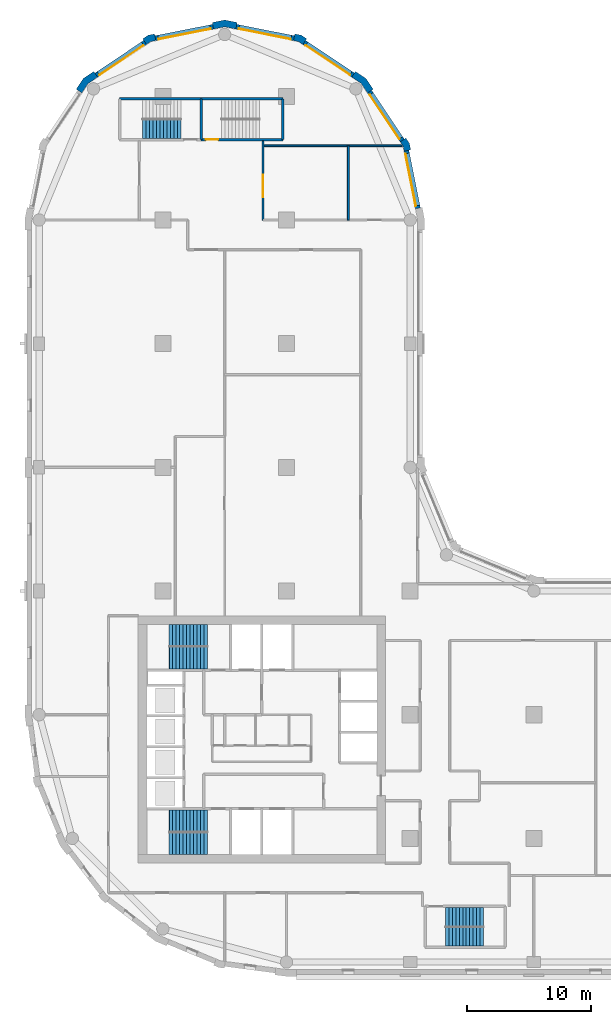
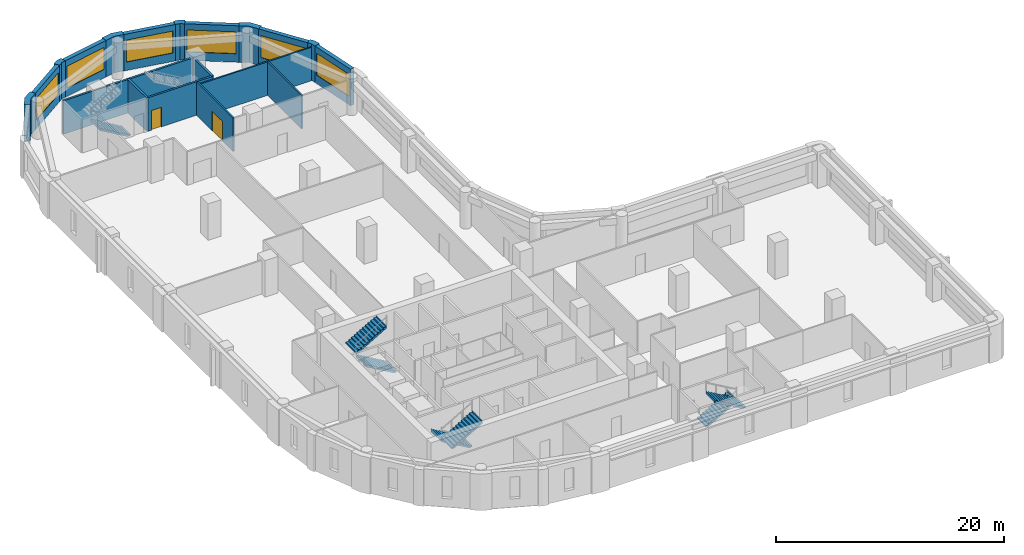
# One storey, part 6 of 9: 20 walls, 7 stair flights, 6 windows, 2 doors, 8 openings, 4 elements without a shape of their own.
"""IFC4 building model written with IfcOpenShell, lengths in metres."""

import ifcopenshell
import ifcopenshell.guid

model = None  # the IFC model being written
_history = None  # IfcOwnerHistory: only IFC2X3 demands one
_inside = {}  # id of a spatial element -> (the spatial element, [elements in it])
_under = {}  # id of a project, library or spatial element -> (it, [spatial elements below it])
_declared = {}  # id of a project -> (the project, [libraries it declares])
_typed = {}  # id of a type object -> (the type object, [elements of that type])
_made_of = {}  # id of a material, layer set ... -> (it, [elements and type objects made of it])


def new_model(schema):
    """Start an empty IFC model of exactly this schema.

    Asked for "IFC4X3", IfcOpenShell would pick the latest addendum, in which some entities
    have other attributes; the version numbers below select the first issue.
    IFC2X3 requires an IfcOwnerHistory on every rooted entity: one is made here for all.
    """
    global model, _history
    if schema == "IFC4X3":
        model = ifcopenshell.file(schema_version=(4, 3, 0, 0))
    else:
        model = ifcopenshell.file(schema=schema)
    _inside.clear()
    _under.clear()
    _declared.clear()
    _typed.clear()
    _made_of.clear()
    _history = None
    if model.schema == "IFC2X3":
        org = make("IfcOrganization", Name="unknown")
        user = make(
            "IfcPersonAndOrganization",
            ThePerson=make("IfcPerson", FamilyName="unknown"),
            TheOrganization=org,
        )
        app = make(
            "IfcApplication",
            ApplicationDeveloper=org,
            Version="unknown",
            ApplicationFullName="unknown",
            ApplicationIdentifier="unknown",
        )
        _history = make(
            "IfcOwnerHistory",
            OwningUser=user,
            OwningApplication=app,
            ChangeAction="ADDED",
            CreationDate=0,
        )
    return model


def make(cls, **values):
    """One entity of the class cls with the attributes given. An attribute that is None is left unset."""
    return model.create_entity(
        cls, **{name: value for name, value in values.items() if value is not None}
    )


def rooted(cls, **values):
    """An entity with a GlobalId (a new one), such as an element, a storey or a relation."""
    return make(cls, GlobalId=ifcopenshell.guid.new(), OwnerHistory=_history, **values)


def si_unit(unit_type, name, prefix=None):
    """IfcSIUnit, for example si_unit("LENGTHUNIT", "METRE", prefix="MILLI")."""
    return make("IfcSIUnit", UnitType=unit_type, Prefix=prefix, Name=name)


def assignment(units):
    """IfcUnitAssignment: the units of a project."""
    return None if units is None else make("IfcUnitAssignment", Units=units)


def point(xyz):
    """IfcCartesianPoint."""
    return None if xyz is None else make("IfcCartesianPoint", Coordinates=xyz)


def direction(xyz):
    """IfcDirection."""
    return None if xyz is None else make("IfcDirection", DirectionRatios=xyz)


def frame(location, z_axis=None, x_axis=None):
    """IfcAxis2Placement3D, a coordinate frame: its origin and axes. An axis left out is left unset."""
    return make(
        "IfcAxis2Placement3D",
        Location=point(location),
        Axis=direction(z_axis),
        RefDirection=direction(x_axis),
    )


def frame_2d(location, x_axis=None):
    """IfcAxis2Placement2D, a coordinate frame in the plane: its origin and x axis."""
    return make(
        "IfcAxis2Placement2D", Location=point(location), RefDirection=direction(x_axis)
    )


def origin():
    """The frame at (0, 0, 0) with its axes left unset."""
    return frame((0.0, 0.0, 0.0))


def place(relative_to, where):
    """IfcLocalPlacement: puts the frame where relative to a parent placement (None: the world)."""
    return make(
        "IfcLocalPlacement", PlacementRelTo=relative_to, RelativePlacement=where
    )


def context(
    kind, dimensions, precision=None, world=None, true_north=None, identifier=None
):
    """IfcGeometricRepresentationContext, for example the 3D "Model" context."""
    return make(
        "IfcGeometricRepresentationContext",
        ContextIdentifier=identifier,
        ContextType=kind,
        CoordinateSpaceDimension=dimensions,
        Precision=precision,
        WorldCoordinateSystem=world,
        TrueNorth=true_north,
    )


def subcontext(parent, identifier, kind, view, scale=None):
    """IfcGeometricRepresentationSubContext, for example "Body" below "Model"."""
    return make(
        "IfcGeometricRepresentationSubContext",
        ContextIdentifier=identifier,
        ContextType=kind,
        ParentContext=parent,
        TargetScale=scale,
        TargetView=view,
    )


def project(units=None, contexts=None):
    """IfcProject with its units and contexts."""
    return rooted(
        "IfcProject",
        Name="project",
        RepresentationContexts=contexts,
        UnitsInContext=assignment(units),
    )


def spatial(cls, under=None, at=None, **own):
    """A site, building, storey or space (cls), placed at a placement, below another one or the project."""
    s = rooted(cls, ObjectPlacement=at, **own)
    if under is not None:
        _under.setdefault(under.id(), (under, []))[1].append(s)
    return s


def polyline(points):
    """IfcPolyline through the points."""
    return make("IfcPolyline", Points=[point(p) for p in points])


def profile(cls, at=None, kind="AREA", **sizes):
    """A parametric profile (cls). Its sizes go by their IFC names, for example OverallWidth=200.0."""
    return make(cls, ProfileType=kind, Position=at, **sizes)


def rectangle(**sizes):
    """IfcRectangleProfileDef."""
    return profile("IfcRectangleProfileDef", **sizes)


def outline(outer, holes=None, kind="AREA"):
    """IfcArbitraryClosedProfileDef: a profile drawn as a closed curve; with holes, ...WithVoids."""
    if holes is None:
        return make("IfcArbitraryClosedProfileDef", ProfileType=kind, OuterCurve=outer)
    return make(
        "IfcArbitraryProfileDefWithVoids",
        ProfileType=kind,
        OuterCurve=outer,
        InnerCurves=holes,
    )


def extrude(swept, where, along, depth):
    """IfcExtrudedAreaSolid: the profile swept, set in the frame where, extruded along a direction by depth."""
    return make(
        "IfcExtrudedAreaSolid",
        SweptArea=swept,
        Position=where,
        ExtrudedDirection=direction(along),
        Depth=depth,
    )


def shape(context_of_items, identifier, shape_type, items):
    """IfcShapeRepresentation: the items that make up one representation, for example the "Body"."""
    return make(
        "IfcShapeRepresentation",
        ContextOfItems=context_of_items,
        RepresentationIdentifier=identifier,
        RepresentationType=shape_type,
        Items=items,
    )


def material(Name=None, Category=None):
    """IfcMaterial."""
    return make("IfcMaterial", Name=Name, Category=Category)


def layer(
    of_material, thickness, ventilated=None, Name=None, Category=None, Priority=None
):
    """IfcMaterialLayer: one layer of a wall or slab, of a material (None: an air gap)."""
    return make(
        "IfcMaterialLayer",
        Material=of_material,
        LayerThickness=thickness,
        IsVentilated=ventilated,
        Name=Name,
        Category=Category,
        Priority=Priority,
    )


def layer_set(layers, Name=None):
    """IfcMaterialLayerSet."""
    return make("IfcMaterialLayerSet", MaterialLayers=layers, LayerSetName=Name)


def made_of(thing, what):
    """Note that an element or type object is made of a material, layer set ...; save() writes the relation."""
    if what is not None:
        _made_of.setdefault(what.id(), (what, []))[1].append(thing)
    return thing


def type_object(cls, material=None, **own):
    """A type object (cls), such as IfcWallType, which elements share."""
    return made_of(rooted(cls, **own), material)


def element(
    cls,
    number,
    at=None,
    inside=None,
    cuts=None,
    type_object=None,
    material=None,
    context=None,
    identifier="Body",
    shape_type=None,
    held_by="IfcProductDefinitionShape",
    body=None,
    shapes=None,
    **own,
):
    """One element of the class cls, such as IfcWall. Its Tag is "e" and its number.

    at: its placement. inside: the storey or other place that contains it. cuts: it is an
    opening in that element (IfcRelVoidsElement). A single representation is given by context,
    identifier, shape_type and body (its items); several are given by shapes. held_by: the class
    of the entity that holds the representations. save() writes the other relations.
    """
    e = rooted(cls, Tag="e%d" % number, ObjectPlacement=at, **own)
    if body is not None:
        shapes = [shape(context, identifier, shape_type, body)]
    if shapes is not None:
        e.Representation = make(held_by, Representations=shapes)
    if inside is not None:
        _inside.setdefault(inside.id(), (inside, []))[1].append(e)
    if cuts is not None:
        rooted(
            "IfcRelVoidsElement", RelatingBuildingElement=cuts, RelatedOpeningElement=e
        )
    if type_object is not None:
        _typed.setdefault(type_object.id(), (type_object, []))[1].append(e)
    return made_of(e, material)


def fill(opening, filler):
    """IfcRelFillsElement: the door or window that sits in an opening."""
    return rooted(
        "IfcRelFillsElement",
        RelatingOpeningElement=opening,
        RelatedBuildingElement=filler,
    )


def aggregate(whole, parts):
    """IfcRelAggregates: a whole, such as a stair, and the parts it consists of."""
    return rooted("IfcRelAggregates", RelatingObject=whole, RelatedObjects=parts)


def save(model, path):
    """Write the relations noted so far, then the file.

    IfcRelAggregates (storeys below a building ...), IfcRelContainedInSpatialStructure (elements
    in a storey), IfcRelDefinesByType, IfcRelAssociatesMaterial and IfcRelDeclares: one each for
    every whole, place, type object, material and project.
    """
    for whole, parts in _under.values():
        aggregate(whole, parts)
    for where, things in _inside.values():
        rooted(
            "IfcRelContainedInSpatialStructure",
            RelatedElements=things,
            RelatingStructure=where,
        )
    for kind, things in _typed.values():
        rooted("IfcRelDefinesByType", RelatedObjects=things, RelatingType=kind)
    for what, things in _made_of.values():
        rooted("IfcRelAssociatesMaterial", RelatedObjects=things, RelatingMaterial=what)
    for by, libraries in _declared.values():
        rooted("IfcRelDeclares", RelatingContext=by, RelatedDefinitions=libraries)
    model.write(path)


model = new_model("IFC4")

# Units and contexts
model_context = context("Model", 3, precision=1e-05, world=origin(), true_north=direction((0.0, 1.0)))
body_context = subcontext(model_context, "Body", "Model", "MODEL_VIEW")
ifc_project = project(units=[si_unit("LENGTHUNIT", "METRE"), si_unit("AREAUNIT", "SQUARE_METRE"), si_unit("VOLUMEUNIT", "CUBIC_METRE"), si_unit("PLANEANGLEUNIT", "RADIAN"), si_unit("MASSUNIT", "GRAM", prefix="KILO")], contexts=[model_context])

# Site, building, storey
site_placement = place(None, origin())
site = spatial("IfcSite", under=ifc_project, at=site_placement, CompositionType="ELEMENT")
building_placement = place(site_placement, origin())
building = spatial("IfcBuilding", under=site, at=building_placement, Name="Qaws Garden Tower", CompositionType="ELEMENT")
storey_placement = place(building_placement, frame((0.0, 0.0, 139.5)))
storey = spatial("IfcBuildingStorey", under=building, at=storey_placement, Name="L33", CompositionType="ELEMENT", Elevation=139.5)

# Wall, opening, window
ifc_material_1 = material(Name="Clay facing brick masonry", Category="masonry")
ifc_layer_1 = layer(ifc_material_1, 0.39990234375)
ifc_layer_set_1 = layer_set([ifc_layer_1], Name="Clay facing brick masonry")
wall_type_1 = type_object("IfcWallType", Name="Brick infill wall 400", PredefinedType="SOLIDWALL", material=ifc_layer_set_1)
wall_1_placement = place(storey_placement, frame((30.628662109375, 60.940673828125, 0.0), z_axis=(0.0, 0.0, 1.0), x_axis=(-0.195098533057, 0.98078364709, 0.0)))
wall_1 = element("IfcWall", 1, at=wall_1_placement, inside=storey, type_object=wall_type_1, Name="E-L33-infill-13", PredefinedType="SOLIDWALL", context=body_context, shape_type="SweptSolid", body=[
    extrude(rectangle(XDim=4.752685546875, YDim=0.39990234375, at=frame_2d((2.37646484375, 0.0))), origin(), (0.0, 0.0, 1.0), 3.89990234375),
])
opening_1_placement = place(wall_1_placement, frame((0.226318359375, 0.0, 0.89990234375)))
opening_1 = element("IfcOpeningElement", 2, at=opening_1_placement, cuts=wall_1, Name="Opening W06", PredefinedType="OPENING", context=body_context, shape_type="SweptSolid", body=[
    extrude(rectangle(XDim=4.300048828125, YDim=2.35009765625, at=frame_2d((2.14990234375, 1.175048828125))), frame((0.0, 0.2099609375, 0.0), z_axis=(0.0, -1.0, 0.0), x_axis=(1.0, 0.0, 0.0)), (0.0, 0.0, 1.0), 0.419921875),
])
ifc_material_2 = material(Name="Aluminium framed window, clear glazing", Category="aluminium")
window_type = type_object("IfcWindowType", Name="Ribbon window 4300 x 2350", PartitioningType="DOUBLE_PANEL_VERTICAL", PredefinedType="WINDOW", material=ifc_material_2)
window_1_placement = place(opening_1_placement, origin())
window_1 = element("IfcWindow", 3, at=window_1_placement, inside=storey, type_object=window_type, Name="E-L33-window-13-0", OverallHeight=2.35009765625, OverallWidth=4.300048828125, PartitioningType="SINGLE_PANEL", PredefinedType="WINDOW", context=body_context, shape_type="SweptSolid", body=[
    extrude(rectangle(XDim=4.300048828125, YDim=2.35009765625, at=frame_2d((2.14990234375, 1.175048828125))), frame((0.0, 0.159912109375, 0.0), z_axis=(0.0, -1.0, 0.0), x_axis=(1.0, 0.0, 0.0)), (0.0, 0.0, 1.0), 0.06005859375),
])
fill(opening_1, window_1)

wall_2_placement = place(storey_placement, frame((29.356689453125, 66.43408203125, 0.0), z_axis=(0.0, 0.0, 1.0), x_axis=(-0.555541552266, 0.831488775454, 0.0)))
wall_2 = element("IfcWall", 4, at=wall_2_placement, inside=storey, type_object=wall_type_1, Name="E-L33-infill-14", PredefinedType="SOLIDWALL", context=body_context, shape_type="SweptSolid", body=[
    extrude(rectangle(XDim=4.752685546875, YDim=0.39990234375, at=frame_2d((2.37646484375, 0.0))), origin(), (0.0, 0.0, 1.0), 3.89990234375),
])
opening_2_placement = place(wall_2_placement, frame((0.226318359375, 0.0, 0.89990234375)))
opening_2 = element("IfcOpeningElement", 5, at=opening_2_placement, cuts=wall_2, Name="Opening W06", PredefinedType="OPENING", context=body_context, shape_type="SweptSolid", body=[
    extrude(rectangle(XDim=4.300048828125, YDim=2.35009765625, at=frame_2d((2.14990234375, 1.175048828125))), frame((0.0, 0.2099609375, 0.0), z_axis=(0.0, -1.0, 0.0), x_axis=(1.0, 0.0, 0.0)), (0.0, 0.0, 1.0), 0.419921875),
])
window_2_placement = place(opening_2_placement, origin())
window_2 = element("IfcWindow", 6, at=window_2_placement, inside=storey, type_object=window_type, Name="E-L33-window-14-0", OverallHeight=2.35009765625, OverallWidth=4.300048828125, PartitioningType="SINGLE_PANEL", PredefinedType="WINDOW", context=body_context, shape_type="SweptSolid", body=[
    extrude(rectangle(XDim=4.300048828125, YDim=2.35009765625, at=frame_2d((2.14990234375, 1.175048828125))), frame((0.0, 0.159912109375, 0.0), z_axis=(0.0, -1.0, 0.0), x_axis=(1.0, 0.0, 0.0)), (0.0, 0.0, 1.0), 0.06005859375),
])
fill(opening_2, window_2)

wall_3_placement = place(storey_placement, frame((25.385986328125, 71.71630859375, 0.0), z_axis=(0.0, 0.0, 1.0), x_axis=(-0.831488775454, 0.555541552266, 0.0)))
wall_3 = element("IfcWall", 7, at=wall_3_placement, inside=storey, type_object=wall_type_1, Name="E-L33-infill-15", PredefinedType="SOLIDWALL", context=body_context, shape_type="SweptSolid", body=[
    extrude(rectangle(XDim=4.752685546875, YDim=0.39990234375, at=frame_2d((2.37646484375, 0.0))), origin(), (0.0, 0.0, 1.0), 3.89990234375),
])
opening_3_placement = place(wall_3_placement, frame((0.226318359375, 0.0, 0.89990234375)))
opening_3 = element("IfcOpeningElement", 8, at=opening_3_placement, cuts=wall_3, Name="Opening W06", PredefinedType="OPENING", context=body_context, shape_type="SweptSolid", body=[
    extrude(rectangle(XDim=4.300048828125, YDim=2.35009765625, at=frame_2d((2.14990234375, 1.175048828125))), frame((0.0, 0.2099609375, 0.0), z_axis=(0.0, -1.0, 0.0), x_axis=(1.0, 0.0, 0.0)), (0.0, 0.0, 1.0), 0.419921875),
])
window_3_placement = place(opening_3_placement, origin())
window_3 = element("IfcWindow", 9, at=window_3_placement, inside=storey, type_object=window_type, Name="E-L33-window-15-0", OverallHeight=2.35009765625, OverallWidth=4.300048828125, PartitioningType="SINGLE_PANEL", PredefinedType="WINDOW", context=body_context, shape_type="SweptSolid", body=[
    extrude(rectangle(XDim=4.300048828125, YDim=2.35009765625, at=frame_2d((2.14990234375, 1.175048828125))), frame((0.0, 0.159912109375, 0.0), z_axis=(0.0, -1.0, 0.0), x_axis=(1.0, 0.0, 0.0)), (0.0, 0.0, 1.0), 0.06005859375),
])
fill(opening_3, window_3)

wall_4_placement = place(storey_placement, frame((20.60205078125, 74.701416015625, 0.0), z_axis=(0.0, 0.0, 1.0), x_axis=(-0.98078364709, 0.195098533057, 0.0)))
wall_4 = element("IfcWall", 10, at=wall_4_placement, inside=storey, type_object=wall_type_1, Name="E-L33-infill-16", PredefinedType="SOLIDWALL", context=body_context, shape_type="SweptSolid", body=[
    extrude(rectangle(XDim=4.752685546875, YDim=0.39990234375, at=frame_2d((2.37646484375, 0.0))), origin(), (0.0, 0.0, 1.0), 3.89990234375),
])
opening_4_placement = place(wall_4_placement, frame((0.226318359375, 0.0, 0.89990234375)))
opening_4 = element("IfcOpeningElement", 11, at=opening_4_placement, cuts=wall_4, Name="Opening W06", PredefinedType="OPENING", context=body_context, shape_type="SweptSolid", body=[
    extrude(rectangle(XDim=4.300048828125, YDim=2.35009765625, at=frame_2d((2.14990234375, 1.175048828125))), frame((0.0, 0.2099609375, 0.0), z_axis=(0.0, -1.0, 0.0), x_axis=(1.0, 0.0, 0.0)), (0.0, 0.0, 1.0), 0.419921875),
])
window_4_placement = place(opening_4_placement, origin())
window_4 = element("IfcWindow", 12, at=window_4_placement, inside=storey, type_object=window_type, Name="E-L33-window-16-0", OverallHeight=2.35009765625, OverallWidth=4.300048828125, PartitioningType="SINGLE_PANEL", PredefinedType="WINDOW", context=body_context, shape_type="SweptSolid", body=[
    extrude(rectangle(XDim=4.300048828125, YDim=2.35009765625, at=frame_2d((2.14990234375, 1.175048828125))), frame((0.0, 0.159912109375, 0.0), z_axis=(0.0, -1.0, 0.0), x_axis=(1.0, 0.0, 0.0)), (0.0, 0.0, 1.0), 0.06005859375),
])
fill(opening_4, window_4)

wall_5_placement = place(storey_placement, frame((14.059326171875, 75.628662109375, 0.0), z_axis=(0.0, 0.0, 1.0), x_axis=(-0.98078364709, -0.195098533057, 0.0)))
wall_5 = element("IfcWall", 13, at=wall_5_placement, inside=storey, type_object=wall_type_1, Name="E-L33-infill-17", PredefinedType="SOLIDWALL", context=body_context, shape_type="SweptSolid", body=[
    extrude(rectangle(XDim=4.752685546875, YDim=0.39990234375, at=frame_2d((2.37646484375, 0.0))), origin(), (0.0, 0.0, 1.0), 3.89990234375),
])
opening_5_placement = place(wall_5_placement, frame((0.226318359375, 0.0, 0.89990234375)))
opening_5 = element("IfcOpeningElement", 14, at=opening_5_placement, cuts=wall_5, Name="Opening W06", PredefinedType="OPENING", context=body_context, shape_type="SweptSolid", body=[
    extrude(rectangle(XDim=4.300048828125, YDim=2.35009765625, at=frame_2d((2.14990234375, 1.175048828125))), frame((0.0, 0.2099609375, 0.0), z_axis=(0.0, -1.0, 0.0), x_axis=(1.0, 0.0, 0.0)), (0.0, 0.0, 1.0), 0.419921875),
])
window_5_placement = place(opening_5_placement, origin())
window_5 = element("IfcWindow", 15, at=window_5_placement, inside=storey, type_object=window_type, Name="E-L33-window-17-0", OverallHeight=2.35009765625, OverallWidth=4.300048828125, PartitioningType="SINGLE_PANEL", PredefinedType="WINDOW", context=body_context, shape_type="SweptSolid", body=[
    extrude(rectangle(XDim=4.300048828125, YDim=2.35009765625, at=frame_2d((2.14990234375, 1.175048828125))), frame((0.0, 0.159912109375, 0.0), z_axis=(0.0, -1.0, 0.0), x_axis=(1.0, 0.0, 0.0)), (0.0, 0.0, 1.0), 0.06005859375),
])
fill(opening_5, window_5)

wall_6_placement = place(storey_placement, frame((8.56591796875, 74.356689453125, 0.0), z_axis=(0.0, 0.0, 1.0), x_axis=(-0.831488775454, -0.555541552266, 0.0)))
wall_6 = element("IfcWall", 16, at=wall_6_placement, inside=storey, type_object=wall_type_1, Name="E-L33-infill-18", PredefinedType="SOLIDWALL", context=body_context, shape_type="SweptSolid", body=[
    extrude(rectangle(XDim=4.752685546875, YDim=0.39990234375, at=frame_2d((2.37646484375, 0.0))), origin(), (0.0, 0.0, 1.0), 3.89990234375),
])
opening_6_placement = place(wall_6_placement, frame((0.226318359375, 0.0, 0.89990234375)))
opening_6 = element("IfcOpeningElement", 17, at=opening_6_placement, cuts=wall_6, Name="Opening W06", PredefinedType="OPENING", context=body_context, shape_type="SweptSolid", body=[
    extrude(rectangle(XDim=4.300048828125, YDim=2.35009765625, at=frame_2d((2.14990234375, 1.175048828125))), frame((0.0, 0.2099609375, 0.0), z_axis=(0.0, -1.0, 0.0), x_axis=(1.0, 0.0, 0.0)), (0.0, 0.0, 1.0), 0.419921875),
])
window_6_placement = place(opening_6_placement, origin())
window_6 = element("IfcWindow", 18, at=window_6_placement, inside=storey, type_object=window_type, Name="E-L33-window-18-0", OverallHeight=2.35009765625, OverallWidth=4.300048828125, PartitioningType="SINGLE_PANEL", PredefinedType="WINDOW", context=body_context, shape_type="SweptSolid", body=[
    extrude(rectangle(XDim=4.300048828125, YDim=2.35009765625, at=frame_2d((2.14990234375, 1.175048828125))), frame((0.0, 0.159912109375, 0.0), z_axis=(0.0, -1.0, 0.0), x_axis=(1.0, 0.0, 0.0)), (0.0, 0.0, 1.0), 0.06005859375),
])
fill(opening_6, window_6)

# Walls
ifc_material_3 = material(Name="Clay facing brick masonry", Category="masonry")
ifc_layer_2 = layer(ifc_material_3, 0.550048828125)
ifc_layer_set_2 = layer_set([ifc_layer_2], Name="Clay facing brick masonry")
wall_type_2 = type_object("IfcWallType", Name="Brick kink pier 550 x 600", PredefinedType="SOLIDWALL", material=ifc_layer_set_2)
placement = place(storey_placement, origin())
element("IfcWall", 19, at=placement, inside=storey, type_object=wall_type_2, Name="E-L33-pier-14", PredefinedType="SOLIDWALL", context=body_context, shape_type="SweptSolid", body=[
    extrude(outline(polyline([(29.8974609375, 65.64111328125), (30.044677734375, 65.67041015625), (29.94140625, 66.18896484375), (29.647705078125, 66.628662109375), (29.52294921875, 66.545166015625), (29.1904296875, 66.322998046875), (29.42333984375, 65.974365234375), (29.505126953125, 65.56298828125), (29.8974609375, 65.64111328125)])), origin(), (0.0, 0.0, 1.0), 3.89990234375),
])
element("IfcWall", 20, at=placement, inside=storey, type_object=wall_type_2, Name="E-L33-pier-16", PredefinedType="SOLIDWALL", context=body_context, shape_type="SweptSolid", body=[
    extrude(outline(polyline([(21.545166015625, 74.52294921875), (21.628662109375, 74.647705078125), (21.18896484375, 74.94140625), (20.67041015625, 75.044677734375), (20.64111328125, 74.8974609375), (20.56298828125, 74.505126953125), (20.974365234375, 74.42333984375), (21.322998046875, 74.1904296875), (21.545166015625, 74.52294921875)])), origin(), (0.0, 0.0, 1.0), 3.89990234375),
])
element("IfcWall", 21, at=placement, inside=storey, type_object=wall_type_2, Name="E-L33-pier-18", PredefinedType="SOLIDWALL", context=body_context, shape_type="SweptSolid", body=[
    extrude(outline(polyline([(9.35888671875, 74.8974609375), (9.32958984375, 75.044677734375), (8.81103515625, 74.94140625), (8.371337890625, 74.647705078125), (8.454833984375, 74.52294921875), (8.677001953125, 74.1904296875), (9.025634765625, 74.42333984375), (9.43701171875, 74.505126953125), (9.35888671875, 74.8974609375)])), origin(), (0.0, 0.0, 1.0), 3.89990234375),
])
ifc_material_4 = material(Name="Clay facing brick masonry", Category="masonry")
ifc_layer_3 = layer(ifc_material_4, 0.550048828125)
ifc_layer_set_3 = layer_set([ifc_layer_3], Name="Clay facing brick masonry")
wall_type_3 = type_object("IfcWallType", Name="Brick pier 550 x 1600", PredefinedType="SOLIDWALL", material=ifc_layer_set_3)
element("IfcWall", 22, at=placement, inside=storey, type_object=wall_type_3, Name="E-L33-pier-15", PredefinedType="SOLIDWALL", context=body_context, shape_type="SweptSolid", body=[
    extrude(outline(polyline([(26.882568359375, 70.4970703125), (27.00732421875, 70.580322265625), (26.435791015625, 71.435791015625), (25.580322265625, 72.00732421875), (25.4970703125, 71.882568359375), (25.274658203125, 71.550048828125), (26.0390625, 71.0390625), (26.550048828125, 70.274658203125), (26.882568359375, 70.4970703125)])), origin(), (0.0, 0.0, 1.0), 3.89990234375),
])
element("IfcWall", 23, at=placement, inside=storey, type_object=wall_type_3, Name="E-L33-pier-17", PredefinedType="SOLIDWALL", context=body_context, shape_type="SweptSolid", body=[
    extrude(outline(polyline([(15.979736328125, 75.82470703125), (16.009033203125, 75.971923828125), (15.0, 76.172607421875), (13.990966796875, 75.971923828125), (14.020263671875, 75.82470703125), (14.098388671875, 75.432373046875), (15.0, 75.61181640625), (15.901611328125, 75.432373046875), (15.979736328125, 75.82470703125)])), origin(), (0.0, 0.0, 1.0), 3.89990234375),
])
element("IfcWall", 24, at=placement, inside=storey, type_object=wall_type_3, Name="E-L33-pier-19", PredefinedType="SOLIDWALL", context=body_context, shape_type="SweptSolid", body=[
    extrude(outline(polyline([(4.5029296875, 71.882568359375), (4.419677734375, 72.00732421875), (3.564208984375, 71.435791015625), (2.99267578125, 70.580322265625), (3.117431640625, 70.4970703125), (3.449951171875, 70.274658203125), (3.9609375, 71.0390625), (4.725341796875, 71.550048828125), (4.5029296875, 71.882568359375)])), origin(), (0.0, 0.0, 1.0), 3.89990234375),
])

# Wall, opening, door
ifc_material_5 = material(Name="Concrete C70", Category="concrete")
ifc_layer_4 = layer(ifc_material_5, 0.199951171875)
ifc_layer_set_4 = layer_set([ifc_layer_4], Name="Concrete C70")
wall_type_4 = type_object("IfcWallType", Name="Core shaft wall 200 C70", PredefinedType="SHEAR", material=ifc_layer_set_4)
wall_13_placement = place(storey_placement, frame((13.10009765625, 66.5, 0.0), z_axis=(0.0, 0.0, 1.0), x_axis=(1.0, 0.0, 0.0)))
wall_13 = element("IfcWall", 25, at=wall_13_placement, inside=storey, type_object=wall_type_4, Name="Shaft wall", PredefinedType="SHEAR", context=body_context, shape_type="SweptSolid", body=[
    extrude(rectangle(XDim=6.599853515625, YDim=0.199951171875, at=frame_2d((3.2998046875, 0.0))), origin(), (0.0, 0.0, 1.0), 3.580078125),
])
opening_7_placement = place(wall_13_placement, frame((0.375, 0.0, 0.0)))
opening_7 = element("IfcOpeningElement", 26, at=opening_7_placement, cuts=wall_13, Name="Opening SD14", PredefinedType="OPENING", context=body_context, shape_type="SweptSolid", body=[
    extrude(rectangle(XDim=1.0, YDim=2.10009765625, at=frame_2d((0.5, 1.050048828125))), frame((0.0, 0.10986328125, 0.0), z_axis=(0.0, -1.0, 0.0), x_axis=(1.0, 0.0, 0.0)), (0.0, 0.0, 1.0), 0.219970703125),
])
ifc_material_6 = material(Name="Steel S235", Category="steel")
door_type_1 = type_object("IfcDoorType", Name="Stair door 1000x2100", OperationType="SINGLE_SWING_RIGHT", PredefinedType="DOOR", material=ifc_material_6)
door_1_placement = place(opening_7_placement, origin())
door_1 = element("IfcDoor", 27, at=door_1_placement, inside=storey, type_object=door_type_1, Name="Stair 7 door", OperationType="SINGLE_SWING_LEFT", OverallHeight=2.10009765625, OverallWidth=1.0, PredefinedType="DOOR", context=body_context, shape_type="SweptSolid", body=[
    extrude(rectangle(XDim=1.0, YDim=2.10009765625, at=frame_2d((0.5, 1.050048828125))), frame((0.0, 0.02490234375, 0.0), z_axis=(0.0, -1.0, 0.0), x_axis=(1.0, 0.0, 0.0)), (0.0, 0.0, 1.0), 0.050048828125),
])
fill(opening_7, door_1)

# Walls
wall_14_placement = place(storey_placement, frame((6.5, 69.800048828125, 0.0), z_axis=(0.0, 0.0, 1.0), x_axis=(1.0, 0.0, 0.0)))
element("IfcWall", 28, at=wall_14_placement, inside=storey, type_object=wall_type_4, Name="Shaft wall", PredefinedType="SHEAR", context=body_context, shape_type="SweptSolid", body=[
    extrude(rectangle(XDim=6.60009765625, YDim=0.199951171875, at=frame_2d((3.300048828125, 0.0))), origin(), (0.0, 0.0, 1.0), 3.580078125),
])
wall_15_placement = place(storey_placement, frame((13.10009765625, 69.800048828125, 0.0), z_axis=(0.0, 0.0, 1.0), x_axis=(1.0, 0.0, 0.0)))
element("IfcWall", 29, at=wall_15_placement, inside=storey, type_object=wall_type_4, Name="Shaft wall", PredefinedType="SHEAR", context=body_context, shape_type="SweptSolid", body=[
    extrude(rectangle(XDim=6.599853515625, YDim=0.199951171875, at=frame_2d((3.2998046875, 0.0))), origin(), (0.0, 0.0, 1.0), 3.580078125),
])
for number, where, z_axis, x_axis, name in (
    (30, (13.10009765625, 66.5, 0.0), (0.0, 0.0, 1.0), (0.0, 1.0, 0.0), "Shaft wall"),
    (31, (19.699951171875, 66.5, 0.0), (0.0, 0.0, 1.0), (0.0, 1.0, 0.0), "Shaft wall"),
):
    element("IfcWall", number, at=place(storey_placement, frame(where, z_axis=z_axis, x_axis=x_axis)), inside=storey, type_object=wall_type_4, Name=name, PredefinedType="SHEAR", context=body_context, shape_type="SweptSolid", body=[
        extrude(rectangle(XDim=3.300048828125, YDim=0.199951171875, at=frame_2d((1.64990234375, 0.0))), origin(), (0.0, 0.0, 1.0), 3.580078125),
    ])

# Wall, opening, door
ifc_material_7 = material(Name="Gypsum board partition")
ifc_layer_5 = layer(ifc_material_7, 0.14990234375)
ifc_layer_set_5 = layer_set([ifc_layer_5], Name="Gypsum board partition")
wall_type_5 = type_object("IfcWallType", Name="PARTITION 150 EI 60", PredefinedType="PARTITIONING", material=ifc_layer_set_5)
wall_16_placement = place(storey_placement, frame((18.10009765625, 60.0, 0.0), z_axis=(0.0, 0.0, 1.0), x_axis=(0.0, 1.0, 0.0)))
wall_16 = element("IfcWall", 32, at=wall_16_placement, inside=storey, type_object=wall_type_5, Name="O-L33-wall-010", PredefinedType="PARTITIONING", context=body_context, shape_type="SweptSolid", body=[
    extrude(rectangle(XDim=6.39990234375, YDim=0.14990234375, at=frame_2d((3.199951171875, 0.0))), origin(), (0.0, 0.0, 1.0), 3.580078125),
])
opening_8_placement = place(wall_16_placement, frame((1.85009765625, 0.0, 0.0)))
opening_8 = element("IfcOpeningElement", 33, at=opening_8_placement, cuts=wall_16, Name="Opening B108", PredefinedType="OPENING", context=body_context, shape_type="SweptSolid", body=[
    extrude(rectangle(XDim=1.800048828125, YDim=2.10009765625, at=frame_2d((0.89990234375, 1.050048828125))), frame((0.0, 0.0849609375, 0.0), z_axis=(0.0, -1.0, 0.0), x_axis=(1.0, 0.0, 0.0)), (0.0, 0.0, 1.0), 0.169921875),
])
ifc_material_8 = material(Name="Timber door leaf", Category="wood")
door_type_2 = type_object("IfcDoorType", Name="DOUBLE DOOR 1800 X 2100", OperationType="DOUBLE_DOOR_SINGLE_SWING", PredefinedType="DOOR", material=ifc_material_8)
door_2_placement = place(opening_8_placement, frame((1.800048828125, 0.0, 0.0), z_axis=(0.0, 0.0, 1.0), x_axis=(-1.0, 0.0, 0.0)))
door_2 = element("IfcDoor", 34, at=door_2_placement, inside=storey, type_object=door_type_2, Name="O-L33-door-008", OperationType="DOUBLE_DOOR_SINGLE_SWING", OverallHeight=2.10009765625, OverallWidth=1.800048828125, PredefinedType="DOOR", context=body_context, shape_type="SweptSolid", body=[
    extrude(rectangle(XDim=1.800048828125, YDim=2.10009765625, at=frame_2d((0.89990234375, 1.050048828125))), frame((0.0, 0.02490234375, 0.0), z_axis=(0.0, -1.0, 0.0), x_axis=(1.0, 0.0, 0.0)), (0.0, 0.0, 1.0), 0.050048828125),
])
fill(opening_8, door_2)

# Walls
wall_17_placement = place(storey_placement, frame((25.0, 60.0, 0.0), z_axis=(0.0, 0.0, 1.0), x_axis=(0.0, 1.0, 0.0)))
element("IfcWall", 35, at=wall_17_placement, inside=storey, type_object=wall_type_5, Name="O-L33-wall-012", PredefinedType="PARTITIONING", context=body_context, shape_type="SweptSolid", body=[
    extrude(rectangle(XDim=6.0, YDim=0.14990234375, at=frame_2d((3.0, 0.0))), origin(), (0.0, 0.0, 1.0), 3.580078125),
])
wall_18_placement = place(storey_placement, frame((18.10009765625, 66.0, 0.0), z_axis=(0.0, 0.0, 1.0), x_axis=(1.0, 0.0, 0.0)))
element("IfcWall", 36, at=wall_18_placement, inside=storey, type_object=wall_type_5, Name="O-L33-wall-049", PredefinedType="PARTITIONING", context=body_context, shape_type="SweptSolid", body=[
    extrude(rectangle(XDim=11.256103515625, YDim=0.14990234375, at=frame_2d((5.6279296875, 0.0))), origin(), (0.0, 0.0, 1.0), 3.580078125),
])

# Stair, stair flights
ifc_material_9 = material(Name="Concrete C40", Category="concrete")
stair_type_1 = type_object("IfcStairType", Name="Exit stair 1350", PredefinedType="HALF_TURN_STAIR", material=ifc_material_9)
stair_1 = element("IfcStair", 37, at=placement, inside=storey, type_object=stair_type_1, Name="Stair 5", PredefinedType="HALF_TURN_STAIR")
ifc_material_10 = material(Name="Concrete C40", Category="concrete")
stair_flight_type_1 = type_object("IfcStairFlightType", Name="Stair flight 1350", PredefinedType="STRAIGHT", material=ifc_material_10)
stair_flight_1_placement = place(storey_placement, frame((32.85009765625, 3.625, 0.0), z_axis=(0.0, 0.0, 1.0), x_axis=(1.0, 0.0, 0.0)))
stair_flight_1 = element("IfcStairFlight", 38, at=stair_flight_1_placement, type_object=stair_flight_type_1, Name="ST5 flight 1", NumberOfRisers=12, NumberOfTreads=11, PredefinedType="STRAIGHT", RiserHeight=0.1625, TreadLength=0.28, context=body_context, shape_type="SweptSolid", body=[
    extrude(outline(polyline([(-0.0029296875, 0.0), (-0.0029296875, 0.16259765625), (0.0, 0.16259765625), (0.280029296875, 0.16259765625), (0.280029296875, 0.324951171875), (0.56005859375, 0.324951171875), (0.56005859375, 0.487548828125), (0.840087890625, 0.487548828125), (0.840087890625, 0.64990234375), (1.1201171875, 0.64990234375), (1.1201171875, 0.8125), (1.39990234375, 0.8125), (1.39990234375, 0.97509765625), (1.679931640625, 0.97509765625), (1.679931640625, 1.137451171875), (1.9599609375, 1.137451171875), (1.9599609375, 1.300048828125), (2.239990234375, 1.300048828125), (2.239990234375, 1.46240234375), (2.52001953125, 1.46240234375), (2.52001953125, 1.625), (2.800048828125, 1.625), (2.800048828125, 1.78759765625), (3.080078125, 1.78759765625), (3.080078125, 1.949951171875), (3.0830078125, 1.949951171875), (3.0830078125, 1.6142578125), (3.080078125, 1.6142578125), (0.298583984375, 0.0), (-0.0029296875, 0.0)])), frame((0.0, 0.77490234375, 0.0), z_axis=(0.0, -1.0, 0.0), x_axis=(1.0, 0.0, 0.0)), (0.0, 0.0, 1.0), 1.550048828125),
])
stair_flight_2_placement = place(storey_placement, frame((35.929931640625, 2.074951171875, 1.949951171875), z_axis=(0.0, 0.0, 1.0), x_axis=(-1.0, 0.0, 0.0)))
stair_flight_2 = element("IfcStairFlight", 39, at=stair_flight_2_placement, type_object=stair_flight_type_1, Name="ST5 flight 2", NumberOfRisers=12, NumberOfTreads=11, PredefinedType="STRAIGHT", RiserHeight=0.1625, TreadLength=0.28, context=body_context, shape_type="SweptSolid", body=[
    extrude(outline(polyline([(-0.0029296875, 0.0), (-0.0029296875, 0.16259765625), (0.0, 0.16259765625), (0.280029296875, 0.16259765625), (0.280029296875, 0.324951171875), (0.56005859375, 0.324951171875), (0.56005859375, 0.487548828125), (0.840087890625, 0.487548828125), (0.840087890625, 0.64990234375), (1.1201171875, 0.64990234375), (1.1201171875, 0.8125), (1.39990234375, 0.8125), (1.39990234375, 0.97509765625), (1.679931640625, 0.97509765625), (1.679931640625, 1.137451171875), (1.9599609375, 1.137451171875), (1.9599609375, 1.300048828125), (2.239990234375, 1.300048828125), (2.239990234375, 1.46240234375), (2.52001953125, 1.46240234375), (2.52001953125, 1.625), (2.800048828125, 1.625), (2.800048828125, 1.78759765625), (3.080078125, 1.78759765625), (3.080078125, 1.949951171875), (3.0830078125, 1.949951171875), (3.0830078125, 1.6142578125), (3.080078125, 1.6142578125), (0.298583984375, 0.0), (-0.0029296875, 0.0)])), frame((0.0, 0.77490234375, 0.0), z_axis=(0.0, -1.0, 0.0), x_axis=(1.0, 0.0, 0.0)), (0.0, 0.0, 1.0), 1.550048828125),
])
aggregate(stair_1, [stair_flight_1, stair_flight_2])

# Stair, stair flight
stair_2 = element("IfcStair", 40, at=placement, inside=storey, type_object=stair_type_1, Name="Stair 6", PredefinedType="HALF_TURN_STAIR")
stair_flight_3_placement = place(storey_placement, frame((11.449951171875, 67.375, 0.0), z_axis=(0.0, 0.0, 1.0), x_axis=(-1.0, 0.0, 0.0)))
stair_flight_3 = element("IfcStairFlight", 41, at=stair_flight_3_placement, type_object=stair_flight_type_1, Name="ST6 flight 1", NumberOfRisers=12, NumberOfTreads=11, PredefinedType="STRAIGHT", RiserHeight=0.1625, TreadLength=0.28, context=body_context, shape_type="SweptSolid", body=[
    extrude(outline(polyline([(-0.0029296875, 0.0), (-0.0029296875, 0.16259765625), (0.0, 0.16259765625), (0.280029296875, 0.16259765625), (0.280029296875, 0.324951171875), (0.56005859375, 0.324951171875), (0.56005859375, 0.487548828125), (0.840087890625, 0.487548828125), (0.840087890625, 0.64990234375), (1.1201171875, 0.64990234375), (1.1201171875, 0.8125), (1.39990234375, 0.8125), (1.39990234375, 0.97509765625), (1.679931640625, 0.97509765625), (1.679931640625, 1.137451171875), (1.9599609375, 1.137451171875), (1.9599609375, 1.300048828125), (2.239990234375, 1.300048828125), (2.239990234375, 1.46240234375), (2.52001953125, 1.46240234375), (2.52001953125, 1.625), (2.800048828125, 1.625), (2.800048828125, 1.78759765625), (3.080078125, 1.78759765625), (3.080078125, 1.949951171875), (3.0830078125, 1.949951171875), (3.0830078125, 1.6142578125), (3.080078125, 1.6142578125), (0.298583984375, 0.0), (-0.0029296875, 0.0)])), frame((0.0, 0.77490234375, 0.0), z_axis=(0.0, -1.0, 0.0), x_axis=(1.0, 0.0, 0.0)), (0.0, 0.0, 1.0), 1.550048828125),
])
aggregate(stair_2, [stair_flight_3])

# Stair, stair flights
ifc_material_11 = material(Name="Concrete C40", Category="concrete")
stair_type_2 = type_object("IfcStairType", Name="Exit stair 1500", PredefinedType="HALF_TURN_STAIR", material=ifc_material_11)
stair_3 = element("IfcStair", 42, at=placement, inside=storey, type_object=stair_type_2, Name="Stair 1", PredefinedType="HALF_TURN_STAIR")
ifc_material_12 = material(Name="Concrete C40", Category="concrete")
stair_flight_type_2 = type_object("IfcStairFlightType", Name="Stair flight 1500", PredefinedType="STRAIGHT", material=ifc_material_12)
stair_flight_4_placement = place(storey_placement, frame((13.60009765625, 11.39990234375, 0.0), z_axis=(0.0, 0.0, 1.0), x_axis=(-1.0, 0.0, 0.0)))
stair_flight_4 = element("IfcStairFlight", 43, at=stair_flight_4_placement, type_object=stair_flight_type_2, Name="ST1 flight 1", NumberOfRisers=12, NumberOfTreads=11, PredefinedType="STRAIGHT", RiserHeight=0.1625, TreadLength=0.28, context=body_context, shape_type="SweptSolid", body=[
    extrude(outline(polyline([(-0.0029296875, 0.0), (-0.0029296875, 0.16259765625), (0.0, 0.16259765625), (0.280029296875, 0.16259765625), (0.280029296875, 0.324951171875), (0.56005859375, 0.324951171875), (0.56005859375, 0.487548828125), (0.840087890625, 0.487548828125), (0.840087890625, 0.64990234375), (1.1201171875, 0.64990234375), (1.1201171875, 0.8125), (1.39990234375, 0.8125), (1.39990234375, 0.97509765625), (1.679931640625, 0.97509765625), (1.679931640625, 1.137451171875), (1.9599609375, 1.137451171875), (1.9599609375, 1.300048828125), (2.239990234375, 1.300048828125), (2.239990234375, 1.46240234375), (2.52001953125, 1.46240234375), (2.52001953125, 1.625), (2.800048828125, 1.625), (2.800048828125, 1.78759765625), (3.080078125, 1.78759765625), (3.080078125, 1.949951171875), (3.0830078125, 1.949951171875), (3.0830078125, 1.6142578125), (3.080078125, 1.6142578125), (0.298583984375, 0.0), (-0.0029296875, 0.0)])), frame((0.0, 0.89990234375, 0.0), z_axis=(0.0, -1.0, 0.0), x_axis=(1.0, 0.0, 0.0)), (0.0, 0.0, 1.0), 1.800048828125),
])
stair_flight_5_placement = place(storey_placement, frame((10.52001953125, 9.60009765625, 1.949951171875), z_axis=(0.0, 0.0, 1.0), x_axis=(1.0, 0.0, 0.0)))
stair_flight_5 = element("IfcStairFlight", 44, at=stair_flight_5_placement, type_object=stair_flight_type_2, Name="ST1 flight 2", NumberOfRisers=12, NumberOfTreads=11, PredefinedType="STRAIGHT", RiserHeight=0.1625, TreadLength=0.28, context=body_context, shape_type="SweptSolid", body=[
    extrude(outline(polyline([(-0.0029296875, 0.0), (-0.0029296875, 0.16259765625), (0.0, 0.16259765625), (0.280029296875, 0.16259765625), (0.280029296875, 0.324951171875), (0.56005859375, 0.324951171875), (0.56005859375, 0.487548828125), (0.840087890625, 0.487548828125), (0.840087890625, 0.64990234375), (1.1201171875, 0.64990234375), (1.1201171875, 0.8125), (1.39990234375, 0.8125), (1.39990234375, 0.97509765625), (1.679931640625, 0.97509765625), (1.679931640625, 1.137451171875), (1.9599609375, 1.137451171875), (1.9599609375, 1.300048828125), (2.239990234375, 1.300048828125), (2.239990234375, 1.46240234375), (2.52001953125, 1.46240234375), (2.52001953125, 1.625), (2.800048828125, 1.625), (2.800048828125, 1.78759765625), (3.080078125, 1.78759765625), (3.080078125, 1.949951171875), (3.0830078125, 1.949951171875), (3.0830078125, 1.6142578125), (3.080078125, 1.6142578125), (0.298583984375, 0.0), (-0.0029296875, 0.0)])), frame((0.0, 0.89990234375, 0.0), z_axis=(0.0, -1.0, 0.0), x_axis=(1.0, 0.0, 0.0)), (0.0, 0.0, 1.0), 1.800048828125),
])
aggregate(stair_3, [stair_flight_4, stair_flight_5])

stair_4 = element("IfcStair", 45, at=placement, inside=storey, type_object=stair_type_2, Name="Stair 4", PredefinedType="HALF_TURN_STAIR")
stair_flight_6_placement = place(storey_placement, frame((13.60009765625, 24.60009765625, 0.0), z_axis=(0.0, 0.0, 1.0), x_axis=(-1.0, 0.0, 0.0)))
stair_flight_6 = element("IfcStairFlight", 46, at=stair_flight_6_placement, type_object=stair_flight_type_2, Name="ST4 flight 1", NumberOfRisers=12, NumberOfTreads=11, PredefinedType="STRAIGHT", RiserHeight=0.1625, TreadLength=0.28, context=body_context, shape_type="SweptSolid", body=[
    extrude(outline(polyline([(-0.0029296875, 0.0), (-0.0029296875, 0.16259765625), (0.0, 0.16259765625), (0.280029296875, 0.16259765625), (0.280029296875, 0.324951171875), (0.56005859375, 0.324951171875), (0.56005859375, 0.487548828125), (0.840087890625, 0.487548828125), (0.840087890625, 0.64990234375), (1.1201171875, 0.64990234375), (1.1201171875, 0.8125), (1.39990234375, 0.8125), (1.39990234375, 0.97509765625), (1.679931640625, 0.97509765625), (1.679931640625, 1.137451171875), (1.9599609375, 1.137451171875), (1.9599609375, 1.300048828125), (2.239990234375, 1.300048828125), (2.239990234375, 1.46240234375), (2.52001953125, 1.46240234375), (2.52001953125, 1.625), (2.800048828125, 1.625), (2.800048828125, 1.78759765625), (3.080078125, 1.78759765625), (3.080078125, 1.949951171875), (3.0830078125, 1.949951171875), (3.0830078125, 1.6142578125), (3.080078125, 1.6142578125), (0.298583984375, 0.0), (-0.0029296875, 0.0)])), frame((0.0, 0.89501953125, 0.0), z_axis=(0.0, -1.0, 0.0), x_axis=(1.0, 0.0, 0.0)), (0.0, 0.0, 1.0), 1.7900390625),
])
stair_flight_7_placement = place(storey_placement, frame((10.52001953125, 26.39990234375, 1.949951171875), z_axis=(0.0, 0.0, 1.0), x_axis=(1.0, 0.0, 0.0)))
stair_flight_7 = element("IfcStairFlight", 47, at=stair_flight_7_placement, type_object=stair_flight_type_2, Name="ST4 flight 2", NumberOfRisers=12, NumberOfTreads=11, PredefinedType="STRAIGHT", RiserHeight=0.1625, TreadLength=0.28, context=body_context, shape_type="SweptSolid", body=[
    extrude(outline(polyline([(-0.0029296875, 0.0), (-0.0029296875, 0.16259765625), (0.0, 0.16259765625), (0.280029296875, 0.16259765625), (0.280029296875, 0.324951171875), (0.56005859375, 0.324951171875), (0.56005859375, 0.487548828125), (0.840087890625, 0.487548828125), (0.840087890625, 0.64990234375), (1.1201171875, 0.64990234375), (1.1201171875, 0.8125), (1.39990234375, 0.8125), (1.39990234375, 0.97509765625), (1.679931640625, 0.97509765625), (1.679931640625, 1.137451171875), (1.9599609375, 1.137451171875), (1.9599609375, 1.300048828125), (2.239990234375, 1.300048828125), (2.239990234375, 1.46240234375), (2.52001953125, 1.46240234375), (2.52001953125, 1.625), (2.800048828125, 1.625), (2.800048828125, 1.78759765625), (3.080078125, 1.78759765625), (3.080078125, 1.949951171875), (3.0830078125, 1.949951171875), (3.0830078125, 1.6142578125), (3.080078125, 1.6142578125), (0.298583984375, 0.0), (-0.0029296875, 0.0)])), frame((0.0, 0.89501953125, 0.0), z_axis=(0.0, -1.0, 0.0), x_axis=(1.0, 0.0, 0.0)), (0.0, 0.0, 1.0), 1.7900390625),
])
aggregate(stair_4, [stair_flight_6, stair_flight_7])

save(model, "model.ifc")
